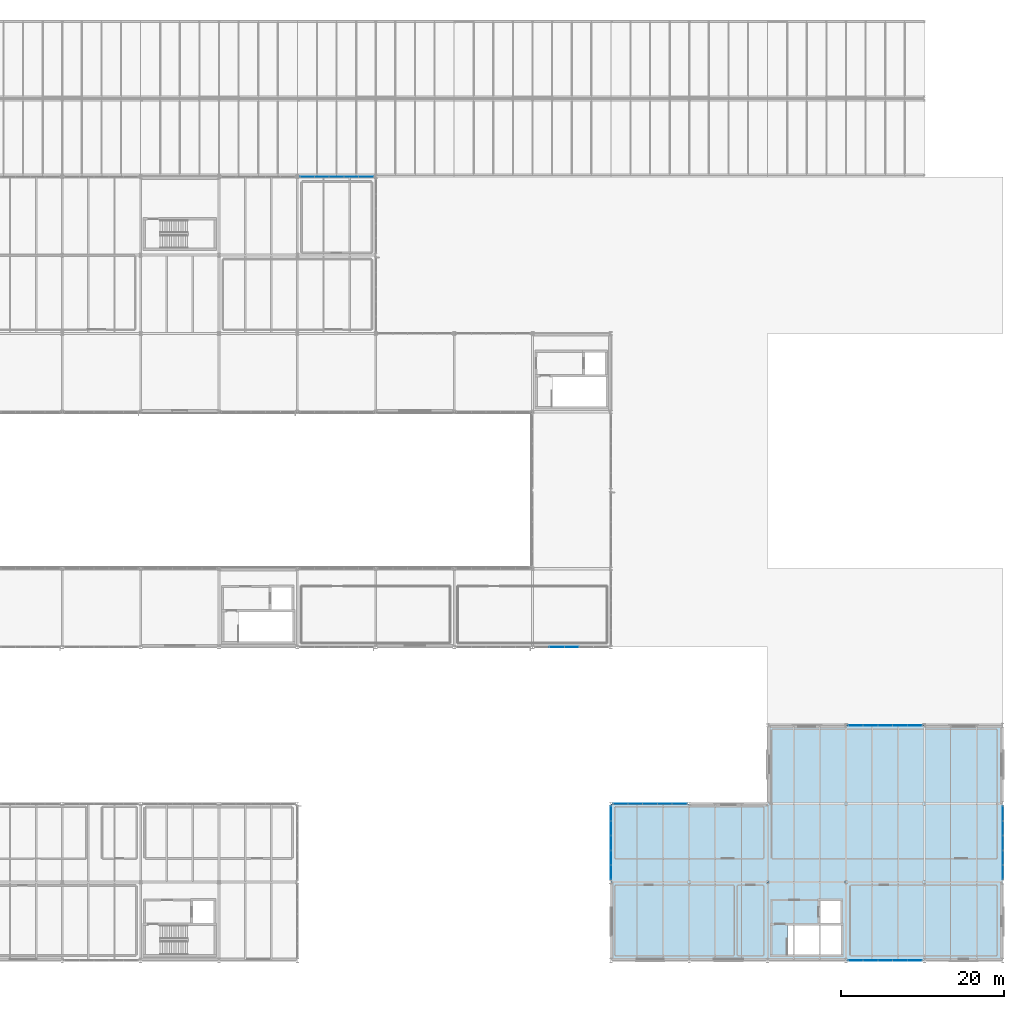
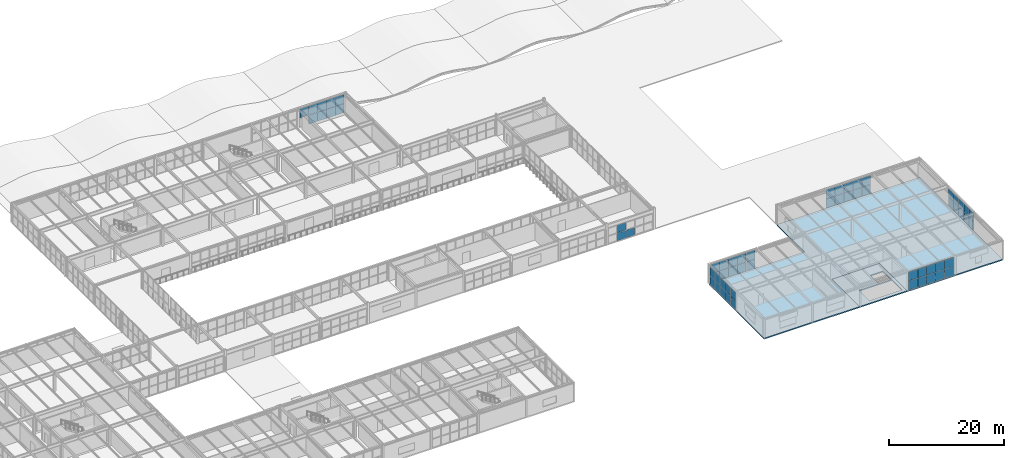
# One storey, part 141 of 170: 62 plates, 2 slabs, 7 elements without a shape of their own.
"""IFC4 building model written with IfcOpenShell, lengths in metres."""

from ifc_helpers import new_model, si_unit, direction, frame, origin, origin_2d, place, context, subcontext, project, spatial, polyline, rectangle, outline, extrude, material, layer, layer_set, type_object, element, aggregate, save


model = new_model("IFC4")

# Units and contexts
model_context = context("Model", 3, precision=1e-05, world=origin(), true_north=direction((0.0, 1.0)))
body_context = subcontext(model_context, "Body", "Model", "MODEL_VIEW")
ifc_project = project(units=[si_unit("LENGTHUNIT", "METRE"), si_unit("AREAUNIT", "SQUARE_METRE"), si_unit("VOLUMEUNIT", "CUBIC_METRE"), si_unit("PLANEANGLEUNIT", "RADIAN"), si_unit("MASSUNIT", "GRAM", prefix="KILO")], contexts=[model_context])

# Site, building, storey
site_placement = place(None, origin())
site = spatial("IfcSite", under=ifc_project, at=site_placement, CompositionType="ELEMENT")
building_placement = place(site_placement, origin())
building = spatial("IfcBuilding", under=site, at=building_placement, Name="Coralgate Yard Interchange", CompositionType="ELEMENT")
storey_placement = place(building_placement, frame((0.0, 0.0, 6.0)))
storey = spatial("IfcBuildingStorey", under=building, at=storey_placement, Name="L01", CompositionType="ELEMENT", Elevation=6.0)

# Curtain wall, plates
ifc_material_1 = material(Name="Anodised coastal aluminium and solar-control low-E glass", Category="aluminium")
curtain_wall_type_1 = type_object("IfcCurtainWallType", Name="CW-CW-L01-A", PredefinedType="NOTDEFINED", material=ifc_material_1)
curtain_wall_1_placement = place(storey_placement, origin())
curtain_wall_1 = element("IfcCurtainWall", 1, at=curtain_wall_1_placement, inside=storey, type_object=curtain_wall_type_1, Name="L01 unitised curtain wall CW-L01-N-10-09", PredefinedType="NOTDEFINED")
ifc_material_2 = material(Name="Solar-control double-glazed low-E glass unit", Category="glass")
ifc_layer_1 = layer(ifc_material_2, 0.031982421875)
ifc_layer_set_1 = layer_set([ifc_layer_1], Name="Solar-control double-glazed low-E glass unit")
plate_type = type_object("IfcPlateType", Name="PLT-CP-32", PredefinedType="CURTAIN_PANEL", material=ifc_layer_set_1)
plate_1_placement = place(storey_placement, frame((97.199951171875, 96.0, 1.97509765625), z_axis=(0.0, 0.0, 1.0), x_axis=(1.0, 0.0, 0.0)))
plate_1 = element("IfcPlate", 2, at=plate_1_placement, type_object=plate_type, Name="CW-L01-N-10-09 solar-control glazing panel 1-2", PredefinedType="CURTAIN_PANEL", context=body_context, shape_type="SweptSolid", body=[
    extrude(rectangle(XDim=1.75, YDim=0.031982421875, at=origin_2d()), origin(), (0.0, 0.0, 1.0), 1.89990234375),
])
plate_2_placement = place(storey_placement, frame((99.0, 96.0, 0.025146484375), z_axis=(0.0, 0.0, 1.0), x_axis=(1.0, 0.0, 0.0)))
plate_2 = element("IfcPlate", 3, at=plate_2_placement, type_object=plate_type, Name="CW-L01-N-10-09 solar-control glazing panel 2-1", PredefinedType="CURTAIN_PANEL", context=body_context, shape_type="SweptSolid", body=[
    extrude(rectangle(XDim=1.75, YDim=0.031982421875, at=origin_2d()), origin(), (0.0, 0.0, 1.0), 1.89990234375),
])
plate_3_placement = place(storey_placement, frame((99.0, 96.0, 1.97509765625), z_axis=(0.0, 0.0, 1.0), x_axis=(1.0, 0.0, 0.0)))
plate_3 = element("IfcPlate", 4, at=plate_3_placement, type_object=plate_type, Name="CW-L01-N-10-09 solar-control glazing panel 2-2", PredefinedType="CURTAIN_PANEL", context=body_context, shape_type="SweptSolid", body=[
    extrude(rectangle(XDim=1.75, YDim=0.031982421875, at=origin_2d()), origin(), (0.0, 0.0, 1.0), 1.89990234375),
])
plate_4_placement = place(storey_placement, frame((100.800048828125, 96.0, 0.025146484375), z_axis=(0.0, 0.0, 1.0), x_axis=(1.0, 0.0, 0.0)))
plate_4 = element("IfcPlate", 5, at=plate_4_placement, type_object=plate_type, Name="CW-L01-N-10-09 solar-control glazing panel 3-1", PredefinedType="CURTAIN_PANEL", context=body_context, shape_type="SweptSolid", body=[
    extrude(rectangle(XDim=1.75, YDim=0.031982421875, at=origin_2d()), origin(), (0.0, 0.0, 1.0), 1.89990234375),
])
plate_5_placement = place(storey_placement, frame((100.800048828125, 96.0, 1.97509765625), z_axis=(0.0, 0.0, 1.0), x_axis=(1.0, 0.0, 0.0)))
plate_5 = element("IfcPlate", 6, at=plate_5_placement, type_object=plate_type, Name="CW-L01-N-10-09 solar-control glazing panel 3-2", PredefinedType="CURTAIN_PANEL", context=body_context, shape_type="SweptSolid", body=[
    extrude(rectangle(XDim=1.75, YDim=0.031982421875, at=origin_2d()), origin(), (0.0, 0.0, 1.0), 1.89990234375),
])
plate_6_placement = place(storey_placement, frame((102.60009765625, 96.0, 0.025146484375), z_axis=(0.0, 0.0, 1.0), x_axis=(1.0, 0.0, 0.0)))
plate_6 = element("IfcPlate", 7, at=plate_6_placement, type_object=plate_type, Name="CW-L01-N-10-09 solar-control glazing panel 4-1", PredefinedType="CURTAIN_PANEL", context=body_context, shape_type="SweptSolid", body=[
    extrude(rectangle(XDim=1.75, YDim=0.031982421875, at=origin_2d()), origin(), (0.0, 0.0, 1.0), 1.89990234375),
])
plate_7_placement = place(storey_placement, frame((102.60009765625, 96.0, 1.97509765625), z_axis=(0.0, 0.0, 1.0), x_axis=(1.0, 0.0, 0.0)))
plate_7 = element("IfcPlate", 8, at=plate_7_placement, type_object=plate_type, Name="CW-L01-N-10-09 solar-control glazing panel 4-2", PredefinedType="CURTAIN_PANEL", context=body_context, shape_type="SweptSolid", body=[
    extrude(rectangle(XDim=1.75, YDim=0.031982421875, at=origin_2d()), origin(), (0.0, 0.0, 1.0), 1.89990234375),
])
plate_8_placement = place(storey_placement, frame((104.39990234375, 96.0, 0.025146484375), z_axis=(0.0, 0.0, 1.0), x_axis=(1.0, 0.0, 0.0)))
plate_8 = element("IfcPlate", 9, at=plate_8_placement, type_object=plate_type, Name="CW-L01-N-10-09 solar-control glazing panel 5-1", PredefinedType="CURTAIN_PANEL", context=body_context, shape_type="SweptSolid", body=[
    extrude(rectangle(XDim=1.75, YDim=0.031982421875, at=origin_2d()), origin(), (0.0, 0.0, 1.0), 1.89990234375),
])
plate_9_placement = place(storey_placement, frame((104.39990234375, 96.0, 1.97509765625), z_axis=(0.0, 0.0, 1.0), x_axis=(1.0, 0.0, 0.0)))
plate_9 = element("IfcPlate", 10, at=plate_9_placement, type_object=plate_type, Name="CW-L01-N-10-09 solar-control glazing panel 5-2", PredefinedType="CURTAIN_PANEL", context=body_context, shape_type="SweptSolid", body=[
    extrude(rectangle(XDim=1.75, YDim=0.031982421875, at=origin_2d()), origin(), (0.0, 0.0, 1.0), 1.89990234375),
])
aggregate(curtain_wall_1, [plate_1, plate_2, plate_3, plate_4, plate_5, plate_6, plate_7, plate_8, plate_9])

curtain_wall_2_placement = place(storey_placement, origin())
curtain_wall_2 = element("IfcCurtainWall", 11, at=curtain_wall_2_placement, inside=storey, type_object=curtain_wall_type_1, Name="L01 unitised curtain wall CW-L01-S-13-04", PredefinedType="NOTDEFINED")
plate_10_placement = place(storey_placement, frame((129.60009765625, 38.39990234375, 0.02490234375), z_axis=(0.0, 0.0, 1.0), x_axis=(-1.0, 0.0, 0.0)))
plate_10 = element("IfcPlate", 12, at=plate_10_placement, type_object=plate_type, Name="CW-L01-S-13-04 solar-control glazing panel 3-1", PredefinedType="CURTAIN_PANEL", context=body_context, shape_type="SweptSolid", body=[
    extrude(rectangle(XDim=1.75, YDim=0.031982421875, at=origin_2d()), origin(), (0.0, 0.0, 1.0), 1.654541015625),
])
plate_11_placement = place(storey_placement, frame((127.800048828125, 38.39990234375, 0.02490234375), z_axis=(0.0, 0.0, 1.0), x_axis=(-1.0, 0.0, 0.0)))
plate_11 = element("IfcPlate", 13, at=plate_11_placement, type_object=plate_type, Name="CW-L01-S-13-04 solar-control glazing panel 4-1", PredefinedType="CURTAIN_PANEL", context=body_context, shape_type="SweptSolid", body=[
    extrude(rectangle(XDim=1.75, YDim=0.031982421875, at=origin_2d()), origin(), (0.0, 0.0, 1.0), 1.654541015625),
])
plate_12_placement = place(storey_placement, frame((127.800048828125, 38.39990234375, 1.7294921875), z_axis=(0.0, 0.0, 1.0), x_axis=(-1.0, 0.0, 0.0)))
plate_12 = element("IfcPlate", 14, at=plate_12_placement, type_object=plate_type, Name="CW-L01-S-13-04 solar-control glazing panel 4-2", PredefinedType="CURTAIN_PANEL", context=body_context, shape_type="SweptSolid", body=[
    extrude(rectangle(XDim=1.75, YDim=0.031982421875, at=origin_2d()), origin(), (0.0, 0.0, 1.0), 1.654541015625),
])
aggregate(curtain_wall_2, [plate_10, plate_11, plate_12])

curtain_wall_3_placement = place(storey_placement, origin())
curtain_wall_3 = element("IfcCurtainWall", 15, at=curtain_wall_3_placement, inside=storey, type_object=curtain_wall_type_1, Name="L01 unitised curtain wall CW-L01-W-14-01", PredefinedType="NOTDEFINED")
plate_13_placement = place(storey_placement, frame((134.39990234375, 10.800048828125, 0.02490234375), z_axis=(0.0, 0.0, 1.0), x_axis=(0.0, 1.0, 0.0)))
plate_13 = element("IfcPlate", 16, at=plate_13_placement, type_object=plate_type, Name="CW-L01-W-14-01 solar-control glazing panel 1-1", PredefinedType="CURTAIN_PANEL", context=body_context, shape_type="SweptSolid", body=[
    extrude(rectangle(XDim=1.75, YDim=0.031982421875, at=origin_2d()), origin(), (0.0, 0.0, 1.0), 1.808349609375),
])
plate_14_placement = place(storey_placement, frame((134.39990234375, 10.800048828125, 1.88330078125), z_axis=(0.0, 0.0, 1.0), x_axis=(0.0, 1.0, 0.0)))
plate_14 = element("IfcPlate", 17, at=plate_14_placement, type_object=plate_type, Name="CW-L01-W-14-01 solar-control glazing panel 1-2", PredefinedType="CURTAIN_PANEL", context=body_context, shape_type="SweptSolid", body=[
    extrude(rectangle(XDim=1.75, YDim=0.031982421875, at=origin_2d()), origin(), (0.0, 0.0, 1.0), 1.808349609375),
])
plate_15_placement = place(storey_placement, frame((134.39990234375, 12.60009765625, 0.02490234375), z_axis=(0.0, 0.0, 1.0), x_axis=(0.0, 1.0, 0.0)))
plate_15 = element("IfcPlate", 18, at=plate_15_placement, type_object=plate_type, Name="CW-L01-W-14-01 solar-control glazing panel 2-1", PredefinedType="CURTAIN_PANEL", context=body_context, shape_type="SweptSolid", body=[
    extrude(rectangle(XDim=1.75, YDim=0.031982421875, at=origin_2d()), origin(), (0.0, 0.0, 1.0), 1.808349609375),
])
plate_16_placement = place(storey_placement, frame((134.39990234375, 12.60009765625, 1.88330078125), z_axis=(0.0, 0.0, 1.0), x_axis=(0.0, 1.0, 0.0)))
plate_16 = element("IfcPlate", 19, at=plate_16_placement, type_object=plate_type, Name="CW-L01-W-14-01 solar-control glazing panel 2-2", PredefinedType="CURTAIN_PANEL", context=body_context, shape_type="SweptSolid", body=[
    extrude(rectangle(XDim=1.75, YDim=0.031982421875, at=origin_2d()), origin(), (0.0, 0.0, 1.0), 1.808349609375),
])
plate_17_placement = place(storey_placement, frame((134.39990234375, 14.39990234375, 0.02490234375), z_axis=(0.0, 0.0, 1.0), x_axis=(0.0, 1.0, 0.0)))
plate_17 = element("IfcPlate", 20, at=plate_17_placement, type_object=plate_type, Name="CW-L01-W-14-01 solar-control glazing panel 3-1", PredefinedType="CURTAIN_PANEL", context=body_context, shape_type="SweptSolid", body=[
    extrude(rectangle(XDim=1.75, YDim=0.031982421875, at=origin_2d()), origin(), (0.0, 0.0, 1.0), 1.808349609375),
])
plate_18_placement = place(storey_placement, frame((134.39990234375, 14.39990234375, 1.88330078125), z_axis=(0.0, 0.0, 1.0), x_axis=(0.0, 1.0, 0.0)))
plate_18 = element("IfcPlate", 21, at=plate_18_placement, type_object=plate_type, Name="CW-L01-W-14-01 solar-control glazing panel 3-2", PredefinedType="CURTAIN_PANEL", context=body_context, shape_type="SweptSolid", body=[
    extrude(rectangle(XDim=1.75, YDim=0.031982421875, at=origin_2d()), origin(), (0.0, 0.0, 1.0), 1.808349609375),
])
plate_19_placement = place(storey_placement, frame((134.39990234375, 16.199951171875, 0.02490234375), z_axis=(0.0, 0.0, 1.0), x_axis=(0.0, 1.0, 0.0)))
plate_19 = element("IfcPlate", 22, at=plate_19_placement, type_object=plate_type, Name="CW-L01-W-14-01 solar-control glazing panel 4-1", PredefinedType="CURTAIN_PANEL", context=body_context, shape_type="SweptSolid", body=[
    extrude(rectangle(XDim=1.75, YDim=0.031982421875, at=origin_2d()), origin(), (0.0, 0.0, 1.0), 1.808349609375),
])
plate_20_placement = place(storey_placement, frame((134.39990234375, 16.199951171875, 1.88330078125), z_axis=(0.0, 0.0, 1.0), x_axis=(0.0, 1.0, 0.0)))
plate_20 = element("IfcPlate", 23, at=plate_20_placement, type_object=plate_type, Name="CW-L01-W-14-01 solar-control glazing panel 4-2", PredefinedType="CURTAIN_PANEL", context=body_context, shape_type="SweptSolid", body=[
    extrude(rectangle(XDim=1.75, YDim=0.031982421875, at=origin_2d()), origin(), (0.0, 0.0, 1.0), 1.808349609375),
])
plate_21_placement = place(storey_placement, frame((134.39990234375, 18.0, 0.02490234375), z_axis=(0.0, 0.0, 1.0), x_axis=(0.0, 1.0, 0.0)))
plate_21 = element("IfcPlate", 24, at=plate_21_placement, type_object=plate_type, Name="CW-L01-W-14-01 solar-control glazing panel 5-1", PredefinedType="CURTAIN_PANEL", context=body_context, shape_type="SweptSolid", body=[
    extrude(rectangle(XDim=1.75, YDim=0.031982421875, at=origin_2d()), origin(), (0.0, 0.0, 1.0), 1.808349609375),
])
plate_22_placement = place(storey_placement, frame((134.39990234375, 18.0, 1.88330078125), z_axis=(0.0, 0.0, 1.0), x_axis=(0.0, 1.0, 0.0)))
plate_22 = element("IfcPlate", 25, at=plate_22_placement, type_object=plate_type, Name="CW-L01-W-14-01 solar-control glazing panel 5-2", PredefinedType="CURTAIN_PANEL", context=body_context, shape_type="SweptSolid", body=[
    extrude(rectangle(XDim=1.75, YDim=0.031982421875, at=origin_2d()), origin(), (0.0, 0.0, 1.0), 1.808349609375),
])
aggregate(curtain_wall_3, [plate_13, plate_14, plate_15, plate_16, plate_17, plate_18, plate_19, plate_20, plate_21, plate_22])

curtain_wall_type_2 = type_object("IfcCurtainWallType", Name="CW-CW-L01-B", PredefinedType="NOTDEFINED", material=ifc_material_1)
curtain_wall_4_placement = place(storey_placement, origin())
curtain_wall_4 = element("IfcCurtainWall", 26, at=curtain_wall_4_placement, inside=storey, type_object=curtain_wall_type_2, Name="L01 unitised curtain wall CW-L01-N-14-01", PredefinedType="NOTDEFINED")
plate_23_placement = place(storey_placement, frame((135.60009765625, 19.199951171875, 0.025146484375), z_axis=(0.0, 0.0, 1.0), x_axis=(1.0, 0.0, 0.0)))
plate_23 = element("IfcPlate", 27, at=plate_23_placement, type_object=plate_type, Name="CW-L01-N-14-01 solar-control glazing panel 1-1", PredefinedType="CURTAIN_PANEL", context=body_context, shape_type="SweptSolid", body=[
    extrude(rectangle(XDim=1.75, YDim=0.031982421875, at=origin_2d()), origin(), (0.0, 0.0, 1.0), 1.89990234375),
])
plate_24_placement = place(storey_placement, frame((135.60009765625, 19.199951171875, 1.97509765625), z_axis=(0.0, 0.0, 1.0), x_axis=(1.0, 0.0, 0.0)))
plate_24 = element("IfcPlate", 28, at=plate_24_placement, type_object=plate_type, Name="CW-L01-N-14-01 solar-control glazing panel 1-2", PredefinedType="CURTAIN_PANEL", context=body_context, shape_type="SweptSolid", body=[
    extrude(rectangle(XDim=1.75, YDim=0.031982421875, at=origin_2d()), origin(), (0.0, 0.0, 1.0), 1.89990234375),
])
plate_25_placement = place(storey_placement, frame((137.39990234375, 19.199951171875, 0.025146484375), z_axis=(0.0, 0.0, 1.0), x_axis=(1.0, 0.0, 0.0)))
plate_25 = element("IfcPlate", 29, at=plate_25_placement, type_object=plate_type, Name="CW-L01-N-14-01 solar-control glazing panel 2-1", PredefinedType="CURTAIN_PANEL", context=body_context, shape_type="SweptSolid", body=[
    extrude(rectangle(XDim=1.75, YDim=0.031982421875, at=origin_2d()), origin(), (0.0, 0.0, 1.0), 1.89990234375),
])
plate_26_placement = place(storey_placement, frame((137.39990234375, 19.199951171875, 1.97509765625), z_axis=(0.0, 0.0, 1.0), x_axis=(1.0, 0.0, 0.0)))
plate_26 = element("IfcPlate", 30, at=plate_26_placement, type_object=plate_type, Name="CW-L01-N-14-01 solar-control glazing panel 2-2", PredefinedType="CURTAIN_PANEL", context=body_context, shape_type="SweptSolid", body=[
    extrude(rectangle(XDim=1.75, YDim=0.031982421875, at=origin_2d()), origin(), (0.0, 0.0, 1.0), 1.89990234375),
])
plate_27_placement = place(storey_placement, frame((139.199951171875, 19.199951171875, 0.025146484375), z_axis=(0.0, 0.0, 1.0), x_axis=(1.0, 0.0, 0.0)))
plate_27 = element("IfcPlate", 31, at=plate_27_placement, type_object=plate_type, Name="CW-L01-N-14-01 solar-control glazing panel 3-1", PredefinedType="CURTAIN_PANEL", context=body_context, shape_type="SweptSolid", body=[
    extrude(rectangle(XDim=1.75, YDim=0.031982421875, at=origin_2d()), origin(), (0.0, 0.0, 1.0), 1.89990234375),
])
plate_28_placement = place(storey_placement, frame((139.199951171875, 19.199951171875, 1.97509765625), z_axis=(0.0, 0.0, 1.0), x_axis=(1.0, 0.0, 0.0)))
plate_28 = element("IfcPlate", 32, at=plate_28_placement, type_object=plate_type, Name="CW-L01-N-14-01 solar-control glazing panel 3-2", PredefinedType="CURTAIN_PANEL", context=body_context, shape_type="SweptSolid", body=[
    extrude(rectangle(XDim=1.75, YDim=0.031982421875, at=origin_2d()), origin(), (0.0, 0.0, 1.0), 1.89990234375),
])
plate_29_placement = place(storey_placement, frame((141.0, 19.199951171875, 0.025146484375), z_axis=(0.0, 0.0, 1.0), x_axis=(1.0, 0.0, 0.0)))
plate_29 = element("IfcPlate", 33, at=plate_29_placement, type_object=plate_type, Name="CW-L01-N-14-01 solar-control glazing panel 4-1", PredefinedType="CURTAIN_PANEL", context=body_context, shape_type="SweptSolid", body=[
    extrude(rectangle(XDim=1.75, YDim=0.031982421875, at=origin_2d()), origin(), (0.0, 0.0, 1.0), 1.89990234375),
])
plate_30_placement = place(storey_placement, frame((141.0, 19.199951171875, 1.97509765625), z_axis=(0.0, 0.0, 1.0), x_axis=(1.0, 0.0, 0.0)))
plate_30 = element("IfcPlate", 34, at=plate_30_placement, type_object=plate_type, Name="CW-L01-N-14-01 solar-control glazing panel 4-2", PredefinedType="CURTAIN_PANEL", context=body_context, shape_type="SweptSolid", body=[
    extrude(rectangle(XDim=1.75, YDim=0.031982421875, at=origin_2d()), origin(), (0.0, 0.0, 1.0), 1.89990234375),
])
plate_31_placement = place(storey_placement, frame((142.800048828125, 19.199951171875, 0.025146484375), z_axis=(0.0, 0.0, 1.0), x_axis=(1.0, 0.0, 0.0)))
plate_31 = element("IfcPlate", 35, at=plate_31_placement, type_object=plate_type, Name="CW-L01-N-14-01 solar-control glazing panel 5-1", PredefinedType="CURTAIN_PANEL", context=body_context, shape_type="SweptSolid", body=[
    extrude(rectangle(XDim=1.75, YDim=0.031982421875, at=origin_2d()), origin(), (0.0, 0.0, 1.0), 1.89990234375),
])
plate_32_placement = place(storey_placement, frame((142.800048828125, 19.199951171875, 1.97509765625), z_axis=(0.0, 0.0, 1.0), x_axis=(1.0, 0.0, 0.0)))
plate_32 = element("IfcPlate", 36, at=plate_32_placement, type_object=plate_type, Name="CW-L01-N-14-01 solar-control glazing panel 5-2", PredefinedType="CURTAIN_PANEL", context=body_context, shape_type="SweptSolid", body=[
    extrude(rectangle(XDim=1.75, YDim=0.031982421875, at=origin_2d()), origin(), (0.0, 0.0, 1.0), 1.89990234375),
])
aggregate(curtain_wall_4, [plate_23, plate_24, plate_25, plate_26, plate_27, plate_28, plate_29, plate_30, plate_31, plate_32])

curtain_wall_5_placement = place(storey_placement, origin())
curtain_wall_5 = element("IfcCurtainWall", 37, at=curtain_wall_5_placement, inside=storey, type_object=curtain_wall_type_2, Name="L01 unitised curtain wall CW-L01-S-17-00", PredefinedType="NOTDEFINED")
plate_33_placement = place(storey_placement, frame((171.60009765625, 0.0, 0.025146484375), z_axis=(0.0, 0.0, 1.0), x_axis=(-1.0, 0.0, 0.0)))
plate_33 = element("IfcPlate", 38, at=plate_33_placement, type_object=plate_type, Name="CW-L01-S-17-00 solar-control glazing panel 1-1", PredefinedType="CURTAIN_PANEL", context=body_context, shape_type="SweptSolid", body=[
    extrude(rectangle(XDim=1.75, YDim=0.031982421875, at=origin_2d()), origin(), (0.0, 0.0, 1.0), 1.89990234375),
])
plate_34_placement = place(storey_placement, frame((171.60009765625, 0.0, 1.97509765625), z_axis=(0.0, 0.0, 1.0), x_axis=(-1.0, 0.0, 0.0)))
plate_34 = element("IfcPlate", 39, at=plate_34_placement, type_object=plate_type, Name="CW-L01-S-17-00 solar-control glazing panel 1-2", PredefinedType="CURTAIN_PANEL", context=body_context, shape_type="SweptSolid", body=[
    extrude(rectangle(XDim=1.75, YDim=0.031982421875, at=origin_2d()), origin(), (0.0, 0.0, 1.0), 1.89990234375),
])
plate_35_placement = place(storey_placement, frame((169.800048828125, 0.0, 0.025146484375), z_axis=(0.0, 0.0, 1.0), x_axis=(-1.0, 0.0, 0.0)))
plate_35 = element("IfcPlate", 40, at=plate_35_placement, type_object=plate_type, Name="CW-L01-S-17-00 solar-control glazing panel 2-1", PredefinedType="CURTAIN_PANEL", context=body_context, shape_type="SweptSolid", body=[
    extrude(rectangle(XDim=1.75, YDim=0.031982421875, at=origin_2d()), origin(), (0.0, 0.0, 1.0), 1.89990234375),
])
plate_36_placement = place(storey_placement, frame((169.800048828125, 0.0, 1.97509765625), z_axis=(0.0, 0.0, 1.0), x_axis=(-1.0, 0.0, 0.0)))
plate_36 = element("IfcPlate", 41, at=plate_36_placement, type_object=plate_type, Name="CW-L01-S-17-00 solar-control glazing panel 2-2", PredefinedType="CURTAIN_PANEL", context=body_context, shape_type="SweptSolid", body=[
    extrude(rectangle(XDim=1.75, YDim=0.031982421875, at=origin_2d()), origin(), (0.0, 0.0, 1.0), 1.89990234375),
])
plate_37_placement = place(storey_placement, frame((168.0, 0.0, 0.025146484375), z_axis=(0.0, 0.0, 1.0), x_axis=(-1.0, 0.0, 0.0)))
plate_37 = element("IfcPlate", 42, at=plate_37_placement, type_object=plate_type, Name="CW-L01-S-17-00 solar-control glazing panel 3-1", PredefinedType="CURTAIN_PANEL", context=body_context, shape_type="SweptSolid", body=[
    extrude(rectangle(XDim=1.75, YDim=0.031982421875, at=origin_2d()), origin(), (0.0, 0.0, 1.0), 1.89990234375),
])
plate_38_placement = place(storey_placement, frame((168.0, 0.0, 1.97509765625), z_axis=(0.0, 0.0, 1.0), x_axis=(-1.0, 0.0, 0.0)))
plate_38 = element("IfcPlate", 43, at=plate_38_placement, type_object=plate_type, Name="CW-L01-S-17-00 solar-control glazing panel 3-2", PredefinedType="CURTAIN_PANEL", context=body_context, shape_type="SweptSolid", body=[
    extrude(rectangle(XDim=1.75, YDim=0.031982421875, at=origin_2d()), origin(), (0.0, 0.0, 1.0), 1.89990234375),
])
plate_39_placement = place(storey_placement, frame((166.199951171875, 0.0, 0.025146484375), z_axis=(0.0, 0.0, 1.0), x_axis=(-1.0, 0.0, 0.0)))
plate_39 = element("IfcPlate", 44, at=plate_39_placement, type_object=plate_type, Name="CW-L01-S-17-00 solar-control glazing panel 4-1", PredefinedType="CURTAIN_PANEL", context=body_context, shape_type="SweptSolid", body=[
    extrude(rectangle(XDim=1.75, YDim=0.031982421875, at=origin_2d()), origin(), (0.0, 0.0, 1.0), 1.89990234375),
])
plate_40_placement = place(storey_placement, frame((166.199951171875, 0.0, 1.97509765625), z_axis=(0.0, 0.0, 1.0), x_axis=(-1.0, 0.0, 0.0)))
plate_40 = element("IfcPlate", 45, at=plate_40_placement, type_object=plate_type, Name="CW-L01-S-17-00 solar-control glazing panel 4-2", PredefinedType="CURTAIN_PANEL", context=body_context, shape_type="SweptSolid", body=[
    extrude(rectangle(XDim=1.75, YDim=0.031982421875, at=origin_2d()), origin(), (0.0, 0.0, 1.0), 1.89990234375),
])
plate_41_placement = place(storey_placement, frame((164.39990234375, 0.0, 0.025146484375), z_axis=(0.0, 0.0, 1.0), x_axis=(-1.0, 0.0, 0.0)))
plate_41 = element("IfcPlate", 46, at=plate_41_placement, type_object=plate_type, Name="CW-L01-S-17-00 solar-control glazing panel 5-1", PredefinedType="CURTAIN_PANEL", context=body_context, shape_type="SweptSolid", body=[
    extrude(rectangle(XDim=1.75, YDim=0.031982421875, at=origin_2d()), origin(), (0.0, 0.0, 1.0), 1.89990234375),
])
plate_42_placement = place(storey_placement, frame((164.39990234375, 0.0, 1.97509765625), z_axis=(0.0, 0.0, 1.0), x_axis=(-1.0, 0.0, 0.0)))
plate_42 = element("IfcPlate", 47, at=plate_42_placement, type_object=plate_type, Name="CW-L01-S-17-00 solar-control glazing panel 5-2", PredefinedType="CURTAIN_PANEL", context=body_context, shape_type="SweptSolid", body=[
    extrude(rectangle(XDim=1.75, YDim=0.031982421875, at=origin_2d()), origin(), (0.0, 0.0, 1.0), 1.89990234375),
])
aggregate(curtain_wall_5, [plate_33, plate_34, plate_35, plate_36, plate_37, plate_38, plate_39, plate_40, plate_41, plate_42])

curtain_wall_6_placement = place(storey_placement, origin())
curtain_wall_6 = element("IfcCurtainWall", 48, at=curtain_wall_6_placement, inside=storey, type_object=curtain_wall_type_1, Name="L01 unitised curtain wall CW-L01-N-17-02", PredefinedType="NOTDEFINED")
plate_43_placement = place(storey_placement, frame((164.39990234375, 28.800048828125, 0.025146484375), z_axis=(0.0, 0.0, 1.0), x_axis=(1.0, 0.0, 0.0)))
plate_43 = element("IfcPlate", 49, at=plate_43_placement, type_object=plate_type, Name="CW-L01-N-17-02 solar-control glazing panel 1-1", PredefinedType="CURTAIN_PANEL", context=body_context, shape_type="SweptSolid", body=[
    extrude(rectangle(XDim=1.75, YDim=0.031982421875, at=origin_2d()), origin(), (0.0, 0.0, 1.0), 1.89990234375),
])
plate_44_placement = place(storey_placement, frame((164.39990234375, 28.800048828125, 1.97509765625), z_axis=(0.0, 0.0, 1.0), x_axis=(1.0, 0.0, 0.0)))
plate_44 = element("IfcPlate", 50, at=plate_44_placement, type_object=plate_type, Name="CW-L01-N-17-02 solar-control glazing panel 1-2", PredefinedType="CURTAIN_PANEL", context=body_context, shape_type="SweptSolid", body=[
    extrude(rectangle(XDim=1.75, YDim=0.031982421875, at=origin_2d()), origin(), (0.0, 0.0, 1.0), 1.89990234375),
])
plate_45_placement = place(storey_placement, frame((166.199951171875, 28.800048828125, 0.025146484375), z_axis=(0.0, 0.0, 1.0), x_axis=(1.0, 0.0, 0.0)))
plate_45 = element("IfcPlate", 51, at=plate_45_placement, type_object=plate_type, Name="CW-L01-N-17-02 solar-control glazing panel 2-1", PredefinedType="CURTAIN_PANEL", context=body_context, shape_type="SweptSolid", body=[
    extrude(rectangle(XDim=1.75, YDim=0.031982421875, at=origin_2d()), origin(), (0.0, 0.0, 1.0), 1.89990234375),
])
plate_46_placement = place(storey_placement, frame((166.199951171875, 28.800048828125, 1.97509765625), z_axis=(0.0, 0.0, 1.0), x_axis=(1.0, 0.0, 0.0)))
plate_46 = element("IfcPlate", 52, at=plate_46_placement, type_object=plate_type, Name="CW-L01-N-17-02 solar-control glazing panel 2-2", PredefinedType="CURTAIN_PANEL", context=body_context, shape_type="SweptSolid", body=[
    extrude(rectangle(XDim=1.75, YDim=0.031982421875, at=origin_2d()), origin(), (0.0, 0.0, 1.0), 1.89990234375),
])
plate_47_placement = place(storey_placement, frame((168.0, 28.800048828125, 0.025146484375), z_axis=(0.0, 0.0, 1.0), x_axis=(1.0, 0.0, 0.0)))
plate_47 = element("IfcPlate", 53, at=plate_47_placement, type_object=plate_type, Name="CW-L01-N-17-02 solar-control glazing panel 3-1", PredefinedType="CURTAIN_PANEL", context=body_context, shape_type="SweptSolid", body=[
    extrude(rectangle(XDim=1.75, YDim=0.031982421875, at=origin_2d()), origin(), (0.0, 0.0, 1.0), 1.89990234375),
])
plate_48_placement = place(storey_placement, frame((168.0, 28.800048828125, 1.97509765625), z_axis=(0.0, 0.0, 1.0), x_axis=(1.0, 0.0, 0.0)))
plate_48 = element("IfcPlate", 54, at=plate_48_placement, type_object=plate_type, Name="CW-L01-N-17-02 solar-control glazing panel 3-2", PredefinedType="CURTAIN_PANEL", context=body_context, shape_type="SweptSolid", body=[
    extrude(rectangle(XDim=1.75, YDim=0.031982421875, at=origin_2d()), origin(), (0.0, 0.0, 1.0), 1.89990234375),
])
plate_49_placement = place(storey_placement, frame((169.800048828125, 28.800048828125, 0.025146484375), z_axis=(0.0, 0.0, 1.0), x_axis=(1.0, 0.0, 0.0)))
plate_49 = element("IfcPlate", 55, at=plate_49_placement, type_object=plate_type, Name="CW-L01-N-17-02 solar-control glazing panel 4-1", PredefinedType="CURTAIN_PANEL", context=body_context, shape_type="SweptSolid", body=[
    extrude(rectangle(XDim=1.75, YDim=0.031982421875, at=origin_2d()), origin(), (0.0, 0.0, 1.0), 1.89990234375),
])
plate_50_placement = place(storey_placement, frame((169.800048828125, 28.800048828125, 1.97509765625), z_axis=(0.0, 0.0, 1.0), x_axis=(1.0, 0.0, 0.0)))
plate_50 = element("IfcPlate", 56, at=plate_50_placement, type_object=plate_type, Name="CW-L01-N-17-02 solar-control glazing panel 4-2", PredefinedType="CURTAIN_PANEL", context=body_context, shape_type="SweptSolid", body=[
    extrude(rectangle(XDim=1.75, YDim=0.031982421875, at=origin_2d()), origin(), (0.0, 0.0, 1.0), 1.89990234375),
])
plate_51_placement = place(storey_placement, frame((171.60009765625, 28.800048828125, 0.025146484375), z_axis=(0.0, 0.0, 1.0), x_axis=(1.0, 0.0, 0.0)))
plate_51 = element("IfcPlate", 57, at=plate_51_placement, type_object=plate_type, Name="CW-L01-N-17-02 solar-control glazing panel 5-1", PredefinedType="CURTAIN_PANEL", context=body_context, shape_type="SweptSolid", body=[
    extrude(rectangle(XDim=1.75, YDim=0.031982421875, at=origin_2d()), origin(), (0.0, 0.0, 1.0), 1.89990234375),
])
plate_52_placement = place(storey_placement, frame((171.60009765625, 28.800048828125, 1.97509765625), z_axis=(0.0, 0.0, 1.0), x_axis=(1.0, 0.0, 0.0)))
plate_52 = element("IfcPlate", 58, at=plate_52_placement, type_object=plate_type, Name="CW-L01-N-17-02 solar-control glazing panel 5-2", PredefinedType="CURTAIN_PANEL", context=body_context, shape_type="SweptSolid", body=[
    extrude(rectangle(XDim=1.75, YDim=0.031982421875, at=origin_2d()), origin(), (0.0, 0.0, 1.0), 1.89990234375),
])
aggregate(curtain_wall_6, [plate_43, plate_44, plate_45, plate_46, plate_47, plate_48, plate_49, plate_50, plate_51, plate_52])

curtain_wall_7_placement = place(storey_placement, origin())
curtain_wall_7 = element("IfcCurtainWall", 59, at=curtain_wall_7_placement, inside=storey, type_object=curtain_wall_type_2, Name="L01 unitised curtain wall CW-L01-E-18-01", PredefinedType="NOTDEFINED")
plate_53_placement = place(storey_placement, frame((182.39990234375, 18.0, 0.02490234375), z_axis=(0.0, 0.0, 1.0), x_axis=(0.0, -1.0, 0.0)))
plate_53 = element("IfcPlate", 60, at=plate_53_placement, type_object=plate_type, Name="CW-L01-E-18-01 solar-control glazing panel 1-1", PredefinedType="CURTAIN_PANEL", context=body_context, shape_type="SweptSolid", body=[
    extrude(rectangle(XDim=1.75, YDim=0.031982421875, at=origin_2d()), origin(), (0.0, 0.0, 1.0), 1.808349609375),
])
plate_54_placement = place(storey_placement, frame((182.39990234375, 18.0, 1.88330078125), z_axis=(0.0, 0.0, 1.0), x_axis=(0.0, -1.0, 0.0)))
plate_54 = element("IfcPlate", 61, at=plate_54_placement, type_object=plate_type, Name="CW-L01-E-18-01 solar-control glazing panel 1-2", PredefinedType="CURTAIN_PANEL", context=body_context, shape_type="SweptSolid", body=[
    extrude(rectangle(XDim=1.75, YDim=0.031982421875, at=origin_2d()), origin(), (0.0, 0.0, 1.0), 1.808349609375),
])
plate_55_placement = place(storey_placement, frame((182.39990234375, 16.199951171875, 0.02490234375), z_axis=(0.0, 0.0, 1.0), x_axis=(0.0, -1.0, 0.0)))
plate_55 = element("IfcPlate", 62, at=plate_55_placement, type_object=plate_type, Name="CW-L01-E-18-01 solar-control glazing panel 2-1", PredefinedType="CURTAIN_PANEL", context=body_context, shape_type="SweptSolid", body=[
    extrude(rectangle(XDim=1.75, YDim=0.031982421875, at=origin_2d()), origin(), (0.0, 0.0, 1.0), 1.808349609375),
])
plate_56_placement = place(storey_placement, frame((182.39990234375, 16.199951171875, 1.88330078125), z_axis=(0.0, 0.0, 1.0), x_axis=(0.0, -1.0, 0.0)))
plate_56 = element("IfcPlate", 63, at=plate_56_placement, type_object=plate_type, Name="CW-L01-E-18-01 solar-control glazing panel 2-2", PredefinedType="CURTAIN_PANEL", context=body_context, shape_type="SweptSolid", body=[
    extrude(rectangle(XDim=1.75, YDim=0.031982421875, at=origin_2d()), origin(), (0.0, 0.0, 1.0), 1.808349609375),
])
plate_57_placement = place(storey_placement, frame((182.39990234375, 14.39990234375, 0.02490234375), z_axis=(0.0, 0.0, 1.0), x_axis=(0.0, -1.0, 0.0)))
plate_57 = element("IfcPlate", 64, at=plate_57_placement, type_object=plate_type, Name="CW-L01-E-18-01 solar-control glazing panel 3-1", PredefinedType="CURTAIN_PANEL", context=body_context, shape_type="SweptSolid", body=[
    extrude(rectangle(XDim=1.75, YDim=0.031982421875, at=origin_2d()), origin(), (0.0, 0.0, 1.0), 1.808349609375),
])
plate_58_placement = place(storey_placement, frame((182.39990234375, 14.39990234375, 1.88330078125), z_axis=(0.0, 0.0, 1.0), x_axis=(0.0, -1.0, 0.0)))
plate_58 = element("IfcPlate", 65, at=plate_58_placement, type_object=plate_type, Name="CW-L01-E-18-01 solar-control glazing panel 3-2", PredefinedType="CURTAIN_PANEL", context=body_context, shape_type="SweptSolid", body=[
    extrude(rectangle(XDim=1.75, YDim=0.031982421875, at=origin_2d()), origin(), (0.0, 0.0, 1.0), 1.808349609375),
])
plate_59_placement = place(storey_placement, frame((182.39990234375, 12.60009765625, 0.02490234375), z_axis=(0.0, 0.0, 1.0), x_axis=(0.0, -1.0, 0.0)))
plate_59 = element("IfcPlate", 66, at=plate_59_placement, type_object=plate_type, Name="CW-L01-E-18-01 solar-control glazing panel 4-1", PredefinedType="CURTAIN_PANEL", context=body_context, shape_type="SweptSolid", body=[
    extrude(rectangle(XDim=1.75, YDim=0.031982421875, at=origin_2d()), origin(), (0.0, 0.0, 1.0), 1.808349609375),
])
plate_60_placement = place(storey_placement, frame((182.39990234375, 12.60009765625, 1.88330078125), z_axis=(0.0, 0.0, 1.0), x_axis=(0.0, -1.0, 0.0)))
plate_60 = element("IfcPlate", 67, at=plate_60_placement, type_object=plate_type, Name="CW-L01-E-18-01 solar-control glazing panel 4-2", PredefinedType="CURTAIN_PANEL", context=body_context, shape_type="SweptSolid", body=[
    extrude(rectangle(XDim=1.75, YDim=0.031982421875, at=origin_2d()), origin(), (0.0, 0.0, 1.0), 1.808349609375),
])
plate_61_placement = place(storey_placement, frame((182.39990234375, 10.800048828125, 0.02490234375), z_axis=(0.0, 0.0, 1.0), x_axis=(0.0, -1.0, 0.0)))
plate_61 = element("IfcPlate", 68, at=plate_61_placement, type_object=plate_type, Name="CW-L01-E-18-01 solar-control glazing panel 5-1", PredefinedType="CURTAIN_PANEL", context=body_context, shape_type="SweptSolid", body=[
    extrude(rectangle(XDim=1.75, YDim=0.031982421875, at=origin_2d()), origin(), (0.0, 0.0, 1.0), 1.808349609375),
])
plate_62_placement = place(storey_placement, frame((182.39990234375, 10.800048828125, 1.88330078125), z_axis=(0.0, 0.0, 1.0), x_axis=(0.0, -1.0, 0.0)))
plate_62 = element("IfcPlate", 69, at=plate_62_placement, type_object=plate_type, Name="CW-L01-E-18-01 solar-control glazing panel 5-2", PredefinedType="CURTAIN_PANEL", context=body_context, shape_type="SweptSolid", body=[
    extrude(rectangle(XDim=1.75, YDim=0.031982421875, at=origin_2d()), origin(), (0.0, 0.0, 1.0), 1.808349609375),
])
aggregate(curtain_wall_7, [plate_53, plate_54, plate_55, plate_56, plate_57, plate_58, plate_59, plate_60, plate_61, plate_62])

# Slabs
ifc_material_3 = material(Name="Concrete C40/50", Category="concrete")
ifc_layer_2 = layer(ifc_material_3, 0.25)
ifc_layer_set_2 = layer_set([ifc_layer_2], Name="Concrete C40/50")
slab_type = type_object("IfcSlabType", Name="SLB-SL-FLR250", PredefinedType="FLOOR", material=ifc_layer_set_2)
slab_1_placement = place(storey_placement, frame((0.0, 0.0, -0.25)))
element("IfcSlab", 70, at=slab_1_placement, inside=storey, type_object=slab_type, Name="L01 core C8 structural floor slab", PredefinedType="FLOOR", context=body_context, shape_type="SweptSolid", body=[
    extrude(outline(polyline([(163.199951171875, 9.60009765625), (163.199951171875, 0.0), (153.60009765625, 0.0), (153.60009765625, 9.60009765625), (163.199951171875, 9.60009765625)]), holes=[polyline([(162.60009765625, 4.31005859375), (156.02001953125, 4.31005859375), (156.02001953125, 0.719970703125), (162.60009765625, 0.719970703125), (162.60009765625, 4.31005859375)]), polyline([(162.5, 4.449951171875), (162.5, 7.300048828125), (160.0, 7.300048828125), (160.0, 4.449951171875), (162.5, 4.449951171875)])]), origin(), (0.0, 0.0, 1.0), 0.25),
])
slab_2_placement = place(storey_placement, frame((0.0, 0.0, -0.25)))
element("IfcSlab", 71, at=slab_2_placement, inside=storey, type_object=slab_type, Name="L01 cycle hub lockers L-shaped slab", PredefinedType="FLOOR", context=body_context, shape_type="SweptSolid", body=[
    extrude(outline(polyline([(134.39990234375, 19.199951171875), (144.0, 19.199951171875), (153.60009765625, 19.199951171875), (153.60009765625, 28.800048828125), (163.199951171875, 28.800048828125), (172.800048828125, 28.800048828125), (182.39990234375, 28.800048828125), (182.39990234375, 19.199951171875), (182.39990234375, 9.60009765625), (182.39990234375, 0.0), (172.800048828125, 0.0), (163.199951171875, 0.0), (163.199951171875, 9.60009765625), (153.60009765625, 9.60009765625), (153.60009765625, 0.0), (144.0, 0.0), (134.39990234375, 0.0), (134.39990234375, 9.60009765625), (134.39990234375, 19.199951171875)])), origin(), (0.0, 0.0, 1.0), 0.25),
])

save(model, "model.ifc")
